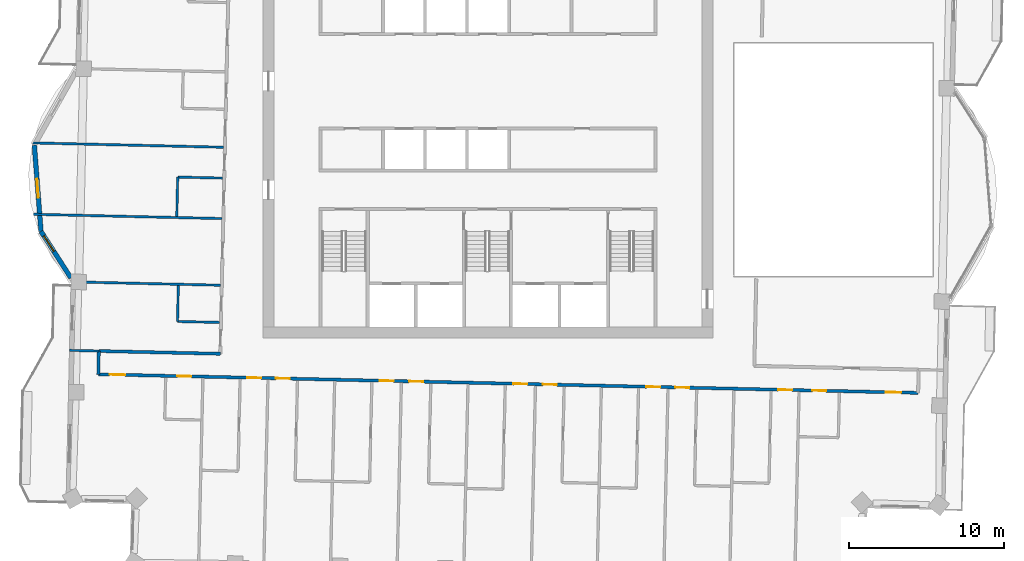
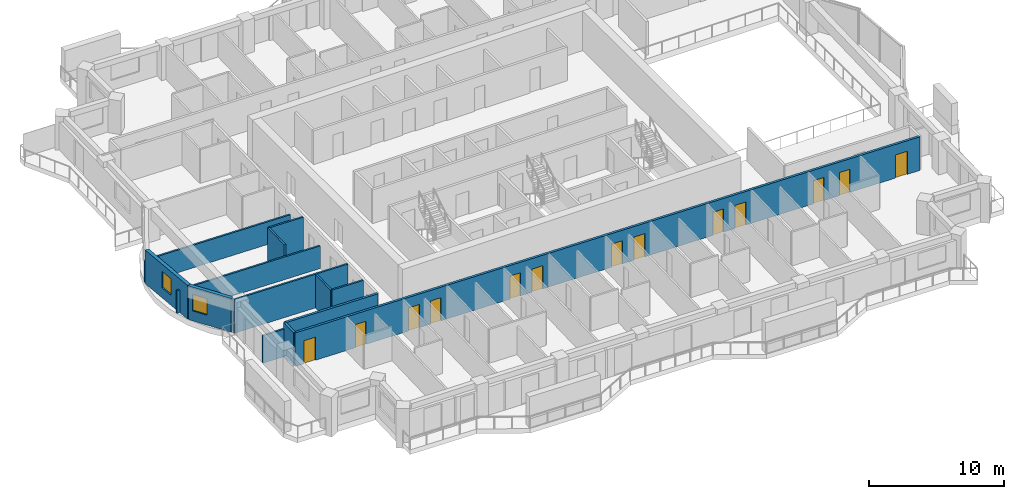
# One storey, part 7 of 17: 13 doors, 13 walls, 2 windows, 15 openings.
"""IFC4 building model written with IfcOpenShell, lengths in metres."""

from ifc_helpers import new_model, si_unit, direction, frame, frame_2d, origin, place, context, subcontext, project, spatial, rectangle, extrude, material, layer, layer_set, type_object, element, fill, save


model = new_model("IFC4")

# Units and contexts
model_context = context("Model", 3, precision=1e-05, world=origin(), true_north=direction((0.0, 1.0)))
body_context = subcontext(model_context, "Body", "Model", "MODEL_VIEW")
ifc_project = project(units=[si_unit("LENGTHUNIT", "METRE"), si_unit("AREAUNIT", "SQUARE_METRE"), si_unit("VOLUMEUNIT", "CUBIC_METRE"), si_unit("PLANEANGLEUNIT", "RADIAN"), si_unit("MASSUNIT", "GRAM", prefix="KILO")], contexts=[model_context])

# Site, building, storey
site_placement = place(None, origin())
site = spatial("IfcSite", under=ifc_project, at=site_placement, CompositionType="ELEMENT")
building_placement = place(site_placement, origin())
building = spatial("IfcBuilding", under=site, at=building_placement, Name="Mangrove Gate Tower", CompositionType="ELEMENT")
storey_placement = place(building_placement, frame((0.0, 0.0, 260.89990234375)))
storey = spatial("IfcBuildingStorey", under=building, at=storey_placement, Name="L66", CompositionType="ELEMENT", Elevation=260.89990234375)

# Wall
ifc_material_1 = material(Name="Gypsum board on steel stud, EI 60", Category="steel")
ifc_layer_1 = layer(ifc_material_1, 0.199951171875)
ifc_layer_set_1 = layer_set([ifc_layer_1], Name="Corridor wall EI 60")
wall_type_1 = type_object("IfcWallType", Name="Corridor wall EI 60", PredefinedType="PARTITIONING", material=ifc_layer_set_1)
wall_1_placement = place(storey_placement, frame((-25.1240234375, -13.846923828125, 0.0), z_axis=(0.0, 0.0, 1.0), x_axis=(0.022617910375, 0.999744182344, 0.0)))
element("IfcWall", 1, at=wall_1_placement, inside=storey, type_object=wall_type_1, Name="WALL-L66-032", PredefinedType="PARTITIONING", context=body_context, shape_type="SweptSolid", body=[
    extrude(rectangle(XDim=1.50048828125, YDim=0.199951171875, at=frame_2d((0.750244140625, 0.0))), origin(), (0.0, 0.0, 1.0), 3.050048828125),
])

# Wall, openings, doors
wall_2_placement = place(storey_placement, frame((-25.1201171875, -13.846923828125, 0.0), z_axis=(0.0, 0.0, 1.0), x_axis=(0.999742852445, -0.022676617578, 0.0)))
wall_2 = element("IfcWall", 2, at=wall_2_placement, inside=storey, type_object=wall_type_1, Name="WALL-L66-033", PredefinedType="PARTITIONING", context=body_context, shape_type="SweptSolid", body=[
    extrude(rectangle(XDim=52.872802734375, YDim=0.199951171875, at=frame_2d((26.4365234375, 0.0))), origin(), (0.0, 0.0, 1.0), 3.050048828125),
])
opening_1_placement = place(wall_2_placement, frame((0.72509765625, 0.0, 0.0)))
opening_1 = element("IfcOpeningElement", 3, at=opening_1_placement, cuts=wall_2, Name="Opening AD", PredefinedType="OPENING", context=body_context, shape_type="SweptSolid", body=[
    extrude(rectangle(XDim=1.0, YDim=2.10009765625, at=frame_2d((0.5, 1.050048828125))), frame((0.0, 0.10986328125, 0.0), z_axis=(0.0, -1.0, 0.0), x_axis=(1.0, 0.0, 0.0)), (0.0, 0.0, 1.0), 0.219970703125),
])
opening_2_placement = place(wall_2_placement, frame((5.10009765625, 0.0, 0.0)))
opening_2 = element("IfcOpeningElement", 4, at=opening_2_placement, cuts=wall_2, Name="Opening SD", PredefinedType="OPENING", context=body_context, shape_type="SweptSolid", body=[
    extrude(rectangle(XDim=0.89990234375, YDim=2.10009765625, at=frame_2d((0.449951171875, 1.050048828125))), frame((0.0, 0.10986328125, 0.0), z_axis=(0.0, -1.0, 0.0), x_axis=(1.0, 0.0, 0.0)), (0.0, 0.0, 1.0), 0.219970703125),
])
opening_3_placement = place(wall_2_placement, frame((9.60009765625, 0.0, 0.0)))
opening_3 = element("IfcOpeningElement", 5, at=opening_3_placement, cuts=wall_2, Name="Opening BD", PredefinedType="OPENING", context=body_context, shape_type="SweptSolid", body=[
    extrude(rectangle(XDim=0.89990234375, YDim=2.10009765625, at=frame_2d((0.449951171875, 1.050048828125))), frame((0.0, 0.10986328125, 0.0), z_axis=(0.0, -1.0, 0.0), x_axis=(1.0, 0.0, 0.0)), (0.0, 0.0, 1.0), 0.219970703125),
])
opening_4_placement = place(wall_2_placement, frame((11.449951171875, 0.0, 0.0)))
opening_4 = element("IfcOpeningElement", 6, at=opening_4_placement, cuts=wall_2, Name="Opening BD", PredefinedType="OPENING", context=body_context, shape_type="SweptSolid", body=[
    extrude(rectangle(XDim=0.89990234375, YDim=2.10009765625, at=frame_2d((0.449951171875, 1.050048828125))), frame((0.0, 0.10986328125, 0.0), z_axis=(0.0, -1.0, 0.0), x_axis=(1.0, 0.0, 0.0)), (0.0, 0.0, 1.0), 0.219970703125),
])
opening_5_placement = place(wall_2_placement, frame((18.14990234375, 0.0, 0.0)))
opening_5 = element("IfcOpeningElement", 7, at=opening_5_placement, cuts=wall_2, Name="Opening BD", PredefinedType="OPENING", context=body_context, shape_type="SweptSolid", body=[
    extrude(rectangle(XDim=0.89990234375, YDim=2.10009765625, at=frame_2d((0.449951171875, 1.050048828125))), frame((0.0, 0.10986328125, 0.0), z_axis=(0.0, -1.0, 0.0), x_axis=(1.0, 0.0, 0.0)), (0.0, 0.0, 1.0), 0.219970703125),
])
opening_6_placement = place(wall_2_placement, frame((20.050048828125, 0.0, 0.0)))
opening_6 = element("IfcOpeningElement", 8, at=opening_6_placement, cuts=wall_2, Name="Opening BD", PredefinedType="OPENING", context=body_context, shape_type="SweptSolid", body=[
    extrude(rectangle(XDim=0.89990234375, YDim=2.10009765625, at=frame_2d((0.449951171875, 1.050048828125))), frame((0.0, 0.10986328125, 0.0), z_axis=(0.0, -1.0, 0.0), x_axis=(1.0, 0.0, 0.0)), (0.0, 0.0, 1.0), 0.219970703125),
])
opening_7_placement = place(wall_2_placement, frame((26.77490234375, 0.0, 0.0)))
opening_7 = element("IfcOpeningElement", 9, at=opening_7_placement, cuts=wall_2, Name="Opening BD", PredefinedType="OPENING", context=body_context, shape_type="SweptSolid", body=[
    extrude(rectangle(XDim=0.89990234375, YDim=2.10009765625, at=frame_2d((0.449951171875, 1.050048828125))), frame((0.0, 0.10986328125, 0.0), z_axis=(0.0, -1.0, 0.0), x_axis=(1.0, 0.0, 0.0)), (0.0, 0.0, 1.0), 0.219970703125),
])
opening_8_placement = place(wall_2_placement, frame((28.675048828125, 0.0, 0.0)))
opening_8 = element("IfcOpeningElement", 10, at=opening_8_placement, cuts=wall_2, Name="Opening BD", PredefinedType="OPENING", context=body_context, shape_type="SweptSolid", body=[
    extrude(rectangle(XDim=0.89990234375, YDim=2.10009765625, at=frame_2d((0.449951171875, 1.050048828125))), frame((0.0, 0.10986328125, 0.0), z_axis=(0.0, -1.0, 0.0), x_axis=(1.0, 0.0, 0.0)), (0.0, 0.0, 1.0), 0.219970703125),
])
opening_9_placement = place(wall_2_placement, frame((35.35009765625, 0.0, 0.0)))
opening_9 = element("IfcOpeningElement", 11, at=opening_9_placement, cuts=wall_2, Name="Opening BD", PredefinedType="OPENING", context=body_context, shape_type="SweptSolid", body=[
    extrude(rectangle(XDim=0.89990234375, YDim=2.10009765625, at=frame_2d((0.449951171875, 1.050048828125))), frame((0.0, 0.10986328125, 0.0), z_axis=(0.0, -1.0, 0.0), x_axis=(1.0, 0.0, 0.0)), (0.0, 0.0, 1.0), 0.219970703125),
])
opening_10_placement = place(wall_2_placement, frame((37.22509765625, 0.0, 0.0)))
opening_10 = element("IfcOpeningElement", 12, at=opening_10_placement, cuts=wall_2, Name="Opening BD", PredefinedType="OPENING", context=body_context, shape_type="SweptSolid", body=[
    extrude(rectangle(XDim=0.89990234375, YDim=2.10009765625, at=frame_2d((0.449951171875, 1.050048828125))), frame((0.0, 0.10986328125, 0.0), z_axis=(0.0, -1.0, 0.0), x_axis=(1.0, 0.0, 0.0)), (0.0, 0.0, 1.0), 0.219970703125),
])
opening_11_placement = place(wall_2_placement, frame((43.85009765625, 0.0, 0.0)))
opening_11 = element("IfcOpeningElement", 13, at=opening_11_placement, cuts=wall_2, Name="Opening BD", PredefinedType="OPENING", context=body_context, shape_type="SweptSolid", body=[
    extrude(rectangle(XDim=0.89990234375, YDim=2.10009765625, at=frame_2d((0.449951171875, 1.050048828125))), frame((0.0, 0.10986328125, 0.0), z_axis=(0.0, -1.0, 0.0), x_axis=(1.0, 0.0, 0.0)), (0.0, 0.0, 1.0), 0.219970703125),
])
opening_12_placement = place(wall_2_placement, frame((50.785888671875, 0.0, 0.0)))
opening_12 = element("IfcOpeningElement", 14, at=opening_12_placement, cuts=wall_2, Name="Opening AD", PredefinedType="OPENING", context=body_context, shape_type="SweptSolid", body=[
    extrude(rectangle(XDim=1.0, YDim=2.10009765625, at=frame_2d((0.5, 1.050048828125))), frame((0.0, 0.10986328125, 0.0), z_axis=(0.0, -1.0, 0.0), x_axis=(1.0, 0.0, 0.0)), (0.0, 0.0, 1.0), 0.219970703125),
])
opening_13_placement = place(wall_2_placement, frame((46.050048828125, 0.0, 0.0)))
opening_13 = element("IfcOpeningElement", 15, at=opening_13_placement, cuts=wall_2, Name="Opening SD", PredefinedType="OPENING", context=body_context, shape_type="SweptSolid", body=[
    extrude(rectangle(XDim=0.89990234375, YDim=2.10009765625, at=frame_2d((0.449951171875, 1.050048828125))), frame((0.0, 0.10986328125, 0.0), z_axis=(0.0, -1.0, 0.0), x_axis=(1.0, 0.0, 0.0)), (0.0, 0.0, 1.0), 0.219970703125),
])
ifc_material_2 = material(Name="Timber door leaf", Category="wood")
door_type_1 = type_object("IfcDoorType", Name="Amenity door 1000", OperationType="SINGLE_SWING_LEFT", PredefinedType="DOOR", material=ifc_material_2)
door_1_placement = place(opening_1_placement, origin())
door_1 = element("IfcDoor", 16, at=door_1_placement, inside=storey, type_object=door_type_1, Name="DOOR-L66-GAM-c1a", OperationType="SINGLE_SWING_LEFT", OverallHeight=2.10009765625, OverallWidth=1.0, PredefinedType="DOOR", context=body_context, shape_type="SweptSolid", body=[
    extrude(rectangle(XDim=1.0, YDim=2.10009765625, at=frame_2d((0.5, 1.050048828125))), frame((0.0, 0.02490234375, 0.0), z_axis=(0.0, -1.0, 0.0), x_axis=(1.0, 0.0, 0.0)), (0.0, 0.0, 1.0), 0.050048828125),
])
fill(opening_1, door_1)
door_2_placement = place(opening_12_placement, origin())
door_2 = element("IfcDoor", 17, at=door_2_placement, inside=storey, type_object=door_type_1, Name="DOOR-L66-KIT-c3a", OperationType="SINGLE_SWING_RIGHT", OverallHeight=2.10009765625, OverallWidth=1.0, PredefinedType="DOOR", context=body_context, shape_type="SweptSolid", body=[
    extrude(rectangle(XDim=1.0, YDim=2.10009765625, at=frame_2d((0.5, 1.050048828125))), frame((0.0, 0.02490234375, 0.0), z_axis=(0.0, -1.0, 0.0), x_axis=(1.0, 0.0, 0.0)), (0.0, 0.0, 1.0), 0.050048828125),
])
fill(opening_12, door_2)
ifc_material_3 = material(Name="Timber door leaf", Category="wood")
door_type_2 = type_object("IfcDoorType", Name="Bedroom door 900", OperationType="SINGLE_SWING_LEFT", PredefinedType="DOOR", material=ifc_material_3)
door_3_placement = place(opening_3_placement, origin())
door_3 = element("IfcDoor", 18, at=door_3_placement, inside=storey, type_object=door_type_2, Name="DOOR-L66-BED-c101", OperationType="SINGLE_SWING_LEFT", OverallHeight=2.10009765625, OverallWidth=0.89990234375, PredefinedType="DOOR", context=body_context, shape_type="SweptSolid", body=[
    extrude(rectangle(XDim=0.89990234375, YDim=2.10009765625, at=frame_2d((0.449951171875, 1.050048828125))), frame((0.0, 0.02490234375, 0.0), z_axis=(0.0, -1.0, 0.0), x_axis=(1.0, 0.0, 0.0)), (0.0, 0.0, 1.0), 0.050048828125),
])
fill(opening_3, door_3)
door_4_placement = place(opening_4_placement, origin())
door_4 = element("IfcDoor", 19, at=door_4_placement, inside=storey, type_object=door_type_2, Name="DOOR-L66-BED-c102", OperationType="SINGLE_SWING_RIGHT", OverallHeight=2.10009765625, OverallWidth=0.89990234375, PredefinedType="DOOR", context=body_context, shape_type="SweptSolid", body=[
    extrude(rectangle(XDim=0.89990234375, YDim=2.10009765625, at=frame_2d((0.449951171875, 1.050048828125))), frame((0.0, 0.02490234375, 0.0), z_axis=(0.0, -1.0, 0.0), x_axis=(1.0, 0.0, 0.0)), (0.0, 0.0, 1.0), 0.050048828125),
])
fill(opening_4, door_4)
door_5_placement = place(opening_5_placement, origin())
door_5 = element("IfcDoor", 20, at=door_5_placement, inside=storey, type_object=door_type_2, Name="DOOR-L66-BED-c103", OperationType="SINGLE_SWING_LEFT", OverallHeight=2.10009765625, OverallWidth=0.89990234375, PredefinedType="DOOR", context=body_context, shape_type="SweptSolid", body=[
    extrude(rectangle(XDim=0.89990234375, YDim=2.10009765625, at=frame_2d((0.449951171875, 1.050048828125))), frame((0.0, 0.02490234375, 0.0), z_axis=(0.0, -1.0, 0.0), x_axis=(1.0, 0.0, 0.0)), (0.0, 0.0, 1.0), 0.050048828125),
])
fill(opening_5, door_5)
door_6_placement = place(opening_6_placement, origin())
door_6 = element("IfcDoor", 21, at=door_6_placement, inside=storey, type_object=door_type_2, Name="DOOR-L66-BED-c104", OperationType="SINGLE_SWING_RIGHT", OverallHeight=2.10009765625, OverallWidth=0.89990234375, PredefinedType="DOOR", context=body_context, shape_type="SweptSolid", body=[
    extrude(rectangle(XDim=0.89990234375, YDim=2.10009765625, at=frame_2d((0.449951171875, 1.050048828125))), frame((0.0, 0.02490234375, 0.0), z_axis=(0.0, -1.0, 0.0), x_axis=(1.0, 0.0, 0.0)), (0.0, 0.0, 1.0), 0.050048828125),
])
fill(opening_6, door_6)
door_7_placement = place(opening_7_placement, origin())
door_7 = element("IfcDoor", 22, at=door_7_placement, inside=storey, type_object=door_type_2, Name="DOOR-L66-BED-c205", OperationType="SINGLE_SWING_LEFT", OverallHeight=2.10009765625, OverallWidth=0.89990234375, PredefinedType="DOOR", context=body_context, shape_type="SweptSolid", body=[
    extrude(rectangle(XDim=0.89990234375, YDim=2.10009765625, at=frame_2d((0.449951171875, 1.050048828125))), frame((0.0, 0.02490234375, 0.0), z_axis=(0.0, -1.0, 0.0), x_axis=(1.0, 0.0, 0.0)), (0.0, 0.0, 1.0), 0.050048828125),
])
fill(opening_7, door_7)
door_8_placement = place(opening_8_placement, origin())
door_8 = element("IfcDoor", 23, at=door_8_placement, inside=storey, type_object=door_type_2, Name="DOOR-L66-BED-c206", OperationType="SINGLE_SWING_RIGHT", OverallHeight=2.10009765625, OverallWidth=0.89990234375, PredefinedType="DOOR", context=body_context, shape_type="SweptSolid", body=[
    extrude(rectangle(XDim=0.89990234375, YDim=2.10009765625, at=frame_2d((0.449951171875, 1.050048828125))), frame((0.0, 0.02490234375, 0.0), z_axis=(0.0, -1.0, 0.0), x_axis=(1.0, 0.0, 0.0)), (0.0, 0.0, 1.0), 0.050048828125),
])
fill(opening_8, door_8)
door_9_placement = place(opening_9_placement, origin())
door_9 = element("IfcDoor", 24, at=door_9_placement, inside=storey, type_object=door_type_2, Name="DOOR-L66-BED-c207", OperationType="SINGLE_SWING_LEFT", OverallHeight=2.10009765625, OverallWidth=0.89990234375, PredefinedType="DOOR", context=body_context, shape_type="SweptSolid", body=[
    extrude(rectangle(XDim=0.89990234375, YDim=2.10009765625, at=frame_2d((0.449951171875, 1.050048828125))), frame((0.0, 0.02490234375, 0.0), z_axis=(0.0, -1.0, 0.0), x_axis=(1.0, 0.0, 0.0)), (0.0, 0.0, 1.0), 0.050048828125),
])
fill(opening_9, door_9)
door_10_placement = place(opening_10_placement, origin())
door_10 = element("IfcDoor", 25, at=door_10_placement, inside=storey, type_object=door_type_2, Name="DOOR-L66-BED-c308", OperationType="SINGLE_SWING_RIGHT", OverallHeight=2.10009765625, OverallWidth=0.89990234375, PredefinedType="DOOR", context=body_context, shape_type="SweptSolid", body=[
    extrude(rectangle(XDim=0.89990234375, YDim=2.10009765625, at=frame_2d((0.449951171875, 1.050048828125))), frame((0.0, 0.02490234375, 0.0), z_axis=(0.0, -1.0, 0.0), x_axis=(1.0, 0.0, 0.0)), (0.0, 0.0, 1.0), 0.050048828125),
])
fill(opening_10, door_10)
door_11_placement = place(opening_11_placement, origin())
door_11 = element("IfcDoor", 26, at=door_11_placement, inside=storey, type_object=door_type_2, Name="DOOR-L66-BED-c309", OperationType="SINGLE_SWING_LEFT", OverallHeight=2.10009765625, OverallWidth=0.89990234375, PredefinedType="DOOR", context=body_context, shape_type="SweptSolid", body=[
    extrude(rectangle(XDim=0.89990234375, YDim=2.10009765625, at=frame_2d((0.449951171875, 1.050048828125))), frame((0.0, 0.02490234375, 0.0), z_axis=(0.0, -1.0, 0.0), x_axis=(1.0, 0.0, 0.0)), (0.0, 0.0, 1.0), 0.050048828125),
])
fill(opening_11, door_11)
ifc_material_4 = material(Name="Timber door leaf", Category="wood")
door_type_3 = type_object("IfcDoorType", Name="Service room door 900", OperationType="SINGLE_SWING_LEFT", PredefinedType="DOOR", material=ifc_material_4)
door_12_placement = place(opening_2_placement, origin())
door_12 = element("IfcDoor", 27, at=door_12_placement, inside=storey, type_object=door_type_3, Name="DOOR-L66-WC-c1a", OperationType="SINGLE_SWING_LEFT", OverallHeight=2.10009765625, OverallWidth=0.89990234375, PredefinedType="DOOR", context=body_context, shape_type="SweptSolid", body=[
    extrude(rectangle(XDim=0.89990234375, YDim=2.10009765625, at=frame_2d((0.449951171875, 1.050048828125))), frame((0.0, 0.02490234375, 0.0), z_axis=(0.0, -1.0, 0.0), x_axis=(1.0, 0.0, 0.0)), (0.0, 0.0, 1.0), 0.050048828125),
])
fill(opening_2, door_12)
door_13_placement = place(opening_13_placement, origin())
door_13 = element("IfcDoor", 28, at=door_13_placement, inside=storey, type_object=door_type_3, Name="DOOR-L66-AWC-c3a", OperationType="SINGLE_SWING_RIGHT", OverallHeight=2.10009765625, OverallWidth=0.89990234375, PredefinedType="DOOR", context=body_context, shape_type="SweptSolid", body=[
    extrude(rectangle(XDim=0.89990234375, YDim=2.10009765625, at=frame_2d((0.449951171875, 1.050048828125))), frame((0.0, 0.02490234375, 0.0), z_axis=(0.0, -1.0, 0.0), x_axis=(1.0, 0.0, 0.0)), (0.0, 0.0, 1.0), 0.050048828125),
])
fill(opening_13, door_13)

# Wall
wall_3_placement = place(storey_placement, frame((-25.0859375, -12.346923828125, 0.0), z_axis=(0.0, 0.0, 1.0), x_axis=(0.999741690667, -0.022727779103, 0.0)))
element("IfcWall", 29, at=wall_3_placement, inside=storey, type_object=wall_type_1, Name="WALL-L66-036", PredefinedType="PARTITIONING", context=body_context, shape_type="SweptSolid", body=[
    extrude(rectangle(XDim=7.830810546875, YDim=0.199951171875, at=frame_2d((3.91552734375, 0.0))), origin(), (0.0, 0.0, 1.0), 3.050048828125),
])

# Wall, opening, window
ifc_material_5 = material(Name="Limestone", Category="masonry")
ifc_layer_2 = layer(ifc_material_5, 0.0400390625, Name="Limestone cladding")
ifc_material_6 = material(Name="Ventilated air gap")
ifc_layer_3 = layer(ifc_material_6, 0.0400390625, Name="Ventilated cavity")
ifc_material_7 = material(Name="Mineral wool insulation")
ifc_layer_4 = layer(ifc_material_7, 0.06005859375, Name="Insulation")
ifc_material_8 = material(Name="Breather membrane")
ifc_layer_5 = layer(ifc_material_8, 0.001953125, Name="Breather membrane")
ifc_material_9 = material(Name="Concrete C20/25 blockwork", Category="masonry")
ifc_layer_6 = layer(ifc_material_9, 0.14990234375, Name="Blockwork backing wall")
ifc_material_10 = material(Name="Gypsum plaster")
ifc_layer_7 = layer(ifc_material_10, 0.008056640625, Name="Internal plaster")
ifc_layer_set_2 = layer_set([ifc_layer_2, ifc_layer_3, ifc_layer_4, ifc_layer_5, ifc_layer_6, ifc_layer_7], Name="External wall 300 limestone cladding")
wall_type_2 = type_object("IfcWallType", Name="External wall 300 limestone cladding", PredefinedType="SOLIDWALL", material=ifc_layer_set_2)
wall_4_placement = place(storey_placement, frame((-29.2470703125, 0.924072265625, 0.0), z_axis=(0.0, 0.0, 1.0), x_axis=(0.076961115238, -0.997034095075, 0.0)))
wall_4 = element("IfcWall", 30, at=wall_4_placement, inside=storey, type_object=wall_type_2, Name="WALL-L66-W9f2", PredefinedType="SOLIDWALL", context=body_context, shape_type="SweptSolid", body=[
    extrude(rectangle(XDim=5.57373046875, YDim=0.300048828125, at=frame_2d((2.786865234375, 0.0))), origin(), (0.0, 0.0, 1.0), 3.050048828125),
])
opening_14_placement = place(wall_4_placement, frame((2.18603515625, 0.0, 0.89990234375)))
opening_14 = element("IfcOpeningElement", 31, at=opening_14_placement, cuts=wall_4, Name="Opening W1", PredefinedType="OPENING", context=body_context, shape_type="SweptSolid", body=[
    extrude(rectangle(XDim=1.199951171875, YDim=1.5, at=frame_2d((0.60009765625, 0.75))), frame((0.0, 0.159912109375, 0.0), z_axis=(0.0, -1.0, 0.0), x_axis=(1.0, 0.0, 0.0)), (0.0, 0.0, 1.0), 0.320068359375),
])
ifc_material_11 = material(Name="Aluminium frame with double-glazed low-e glass", Category="aluminium")
window_type = type_object("IfcWindowType", Name="Side lite 1200x1500", PartitioningType="SINGLE_PANEL", PredefinedType="WINDOW", material=ifc_material_11)
window_1_placement = place(opening_14_placement, origin())
window_1 = element("IfcWindow", 32, at=window_1_placement, inside=storey, type_object=window_type, Name="WIN-L66-W9f2", OverallHeight=1.5, OverallWidth=1.199951171875, PartitioningType="SINGLE_PANEL", PredefinedType="WINDOW", context=body_context, shape_type="SweptSolid", body=[
    extrude(rectangle(XDim=1.199951171875, YDim=1.5, at=frame_2d((0.60009765625, 0.75))), frame((0.0, 0.030029296875, 0.0), z_axis=(0.0, -1.0, 0.0), x_axis=(1.0, 0.0, 0.0)), (0.0, 0.0, 1.0), 0.06005859375),
])
fill(opening_14, window_1)

wall_5_placement = place(storey_placement, frame((-28.818115234375, -4.633056640625, 0.0), z_axis=(0.0, 0.0, 1.0), x_axis=(0.540633100578, -0.841258492117, 0.0)))
wall_5 = element("IfcWall", 33, at=wall_5_placement, inside=storey, type_object=wall_type_2, Name="WALL-L66-W9f3", PredefinedType="SOLIDWALL", context=body_context, shape_type="SweptSolid", body=[
    extrude(rectangle(XDim=3.568359375, YDim=0.300048828125, at=frame_2d((1.7841796875, 0.0))), origin(), (0.0, 0.0, 1.0), 3.050048828125),
])
opening_15_placement = place(wall_5_placement, frame((0.337890625, 0.0, 0.89990234375)))
opening_15 = element("IfcOpeningElement", 34, at=opening_15_placement, cuts=wall_5, Name="Opening W1", PredefinedType="OPENING", context=body_context, shape_type="SweptSolid", body=[
    extrude(rectangle(XDim=1.199951171875, YDim=1.5, at=frame_2d((0.60009765625, 0.75))), frame((0.0, 0.159912109375, 0.0), z_axis=(0.0, -1.0, 0.0), x_axis=(1.0, 0.0, 0.0)), (0.0, 0.0, 1.0), 0.320068359375),
])
window_2_placement = place(opening_15_placement, origin())
window_2 = element("IfcWindow", 35, at=window_2_placement, inside=storey, type_object=window_type, Name="WIN-L66-W9f3", OverallHeight=1.5, OverallWidth=1.199951171875, PartitioningType="SINGLE_PANEL", PredefinedType="WINDOW", context=body_context, shape_type="SweptSolid", body=[
    extrude(rectangle(XDim=1.199951171875, YDim=1.5, at=frame_2d((0.60009765625, 0.75))), frame((0.0, 0.030029296875, 0.0), z_axis=(0.0, -1.0, 0.0), x_axis=(1.0, 0.0, 0.0)), (0.0, 0.0, 1.0), 0.06005859375),
])
fill(opening_15, window_2)

# Walls
ifc_material_12 = material(Name="Gypsum board on steel stud, EI 60", Category="steel")
ifc_layer_8 = layer(ifc_material_12, 0.14990234375)
ifc_layer_set_3 = layer_set([ifc_layer_8], Name="Party wall 150 EI 60")
wall_type_3 = type_object("IfcWallType", Name="Party wall 150 EI 60", PredefinedType="PARTITIONING", material=ifc_layer_set_3)
wall_6_placement = place(storey_placement, frame((-26.985107421875, -12.303955078125, 0.0), z_axis=(0.0, 0.0, 1.0), x_axis=(0.999744152544, -0.022619227516, 0.0)))
element("IfcWall", 36, at=wall_6_placement, inside=storey, type_object=wall_type_3, Name="WALL-L66-035", PredefinedType="PARTITIONING", context=body_context, shape_type="SweptSolid", body=[
    extrude(rectangle(XDim=1.899658203125, YDim=0.14990234375, at=frame_2d((0.94970703125, 0.0))), origin(), (0.0, 0.0, 1.0), 2.5),
])
wall_7_placement = place(storey_placement, frame((-20.010009765625, -10.44189453125, 0.0), z_axis=(0.0, 0.0, 1.0), x_axis=(0.999744396973, -0.02260842146, 0.0)))
element("IfcWall", 37, at=wall_7_placement, inside=storey, type_object=wall_type_3, Name="WALL-L66-041", PredefinedType="PARTITIONING", context=body_context, shape_type="SweptSolid", body=[
    extrude(rectangle(XDim=2.69970703125, YDim=0.14990234375, at=frame_2d((1.349853515625, 0.0))), origin(), (0.0, 0.0, 1.0), 3.050048828125),
])
wall_8_placement = place(storey_placement, frame((-20.014892578125, -10.43701171875, 0.0), z_axis=(0.0, 0.0, 1.0), x_axis=(0.022781023197, 0.999740478815, 0.0)))
element("IfcWall", 38, at=wall_8_placement, inside=storey, type_object=wall_type_3, Name="WALL-L66-042", PredefinedType="PARTITIONING", context=body_context, shape_type="SweptSolid", body=[
    extrude(rectangle(XDim=2.325439453125, YDim=0.14990234375, at=frame_2d((1.16259765625, 0.0))), origin(), (0.0, 0.0, 1.0), 3.050048828125),
])
wall_9_placement = place(storey_placement, frame((-26.885009765625, -7.885009765625, 0.0), z_axis=(0.0, 0.0, 1.0), x_axis=(0.999741468995, -0.022737527832, 0.0)))
element("IfcWall", 39, at=wall_9_placement, inside=storey, type_object=wall_type_3, Name="WALL-L66-043", PredefinedType="PARTITIONING", context=body_context, shape_type="SweptSolid", body=[
    extrude(rectangle(XDim=9.63134765625, YDim=0.14990234375, at=frame_2d((4.815673828125, 0.0))), origin(), (0.0, 0.0, 1.0), 3.050048828125),
])
wall_10_placement = place(storey_placement, frame((-29.2890625, -3.530029296875, 0.0), z_axis=(0.0, 0.0, 1.0), x_axis=(0.999743298181, -0.02265695791, 0.0)))
element("IfcWall", 40, at=wall_10_placement, inside=storey, type_object=wall_type_3, Name="WALL-L66-044", PredefinedType="PARTITIONING", context=body_context, shape_type="SweptSolid", body=[
    extrude(rectangle(XDim=12.13330078125, YDim=0.14990234375, at=frame_2d((6.066650390625, 0.0))), origin(), (0.0, 0.0, 1.0), 2.050048828125),
])
wall_11_placement = place(storey_placement, frame((-20.06103515625, -3.658935546875, 0.0), z_axis=(0.0, 0.0, 1.0), x_axis=(0.022629142889, 0.99974392816, 0.0)))
element("IfcWall", 41, at=wall_11_placement, inside=storey, type_object=wall_type_3, Name="WALL-L66-045", PredefinedType="PARTITIONING", context=body_context, shape_type="SweptSolid", body=[
    extrude(rectangle(XDim=2.524658203125, YDim=0.14990234375, at=frame_2d((1.26220703125, 0.0))), origin(), (0.0, 0.0, 1.0), 3.050048828125),
])
wall_12_placement = place(storey_placement, frame((-19.9990234375, -1.1298828125, 0.0), z_axis=(0.0, 0.0, 1.0), x_axis=(0.999739657619, -0.022817032779, 0.0)))
element("IfcWall", 42, at=wall_12_placement, inside=storey, type_object=wall_type_3, Name="WALL-L66-046", PredefinedType="PARTITIONING", context=body_context, shape_type="SweptSolid", body=[
    extrude(rectangle(XDim=2.899658203125, YDim=0.14990234375, at=frame_2d((1.44970703125, 0.0))), origin(), (0.0, 0.0, 1.0), 3.050048828125),
])
wall_13_placement = place(storey_placement, frame((-29.35302734375, 1.072998046875, 0.0), z_axis=(0.0, 0.0, 1.0), x_axis=(0.999742705664, -0.02268308777, 0.0)))
element("IfcWall", 43, at=wall_13_placement, inside=storey, type_object=wall_type_3, Name="WALL-L66-047", PredefinedType="PARTITIONING", context=body_context, shape_type="SweptSolid", body=[
    extrude(rectangle(XDim=12.30224609375, YDim=0.14990234375, at=frame_2d((6.151123046875, 0.0))), origin(), (0.0, 0.0, 1.0), 2.050048828125),
])

save(model, "model.ifc")
